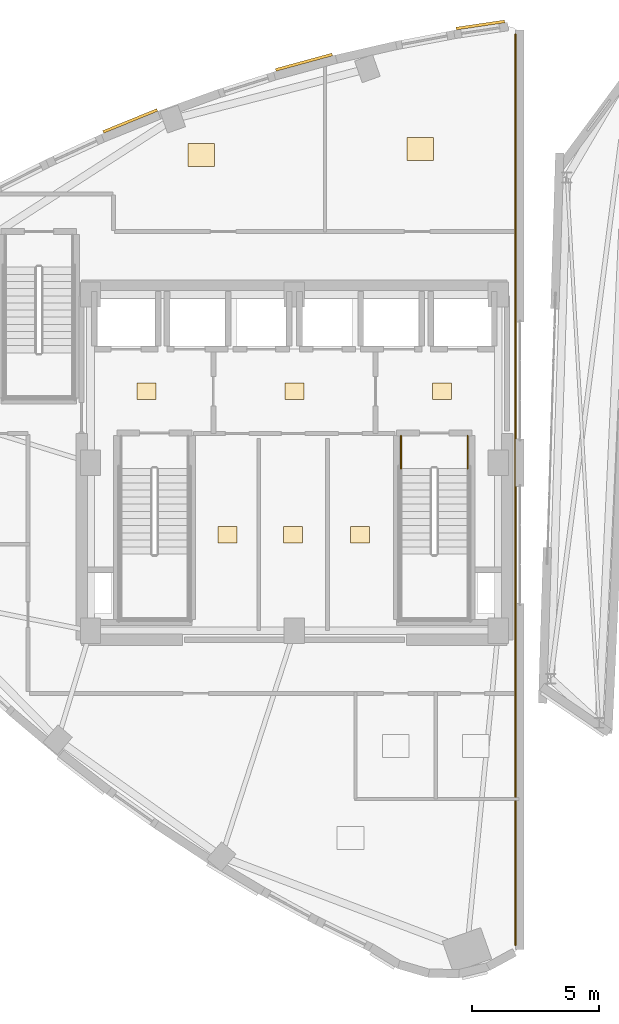
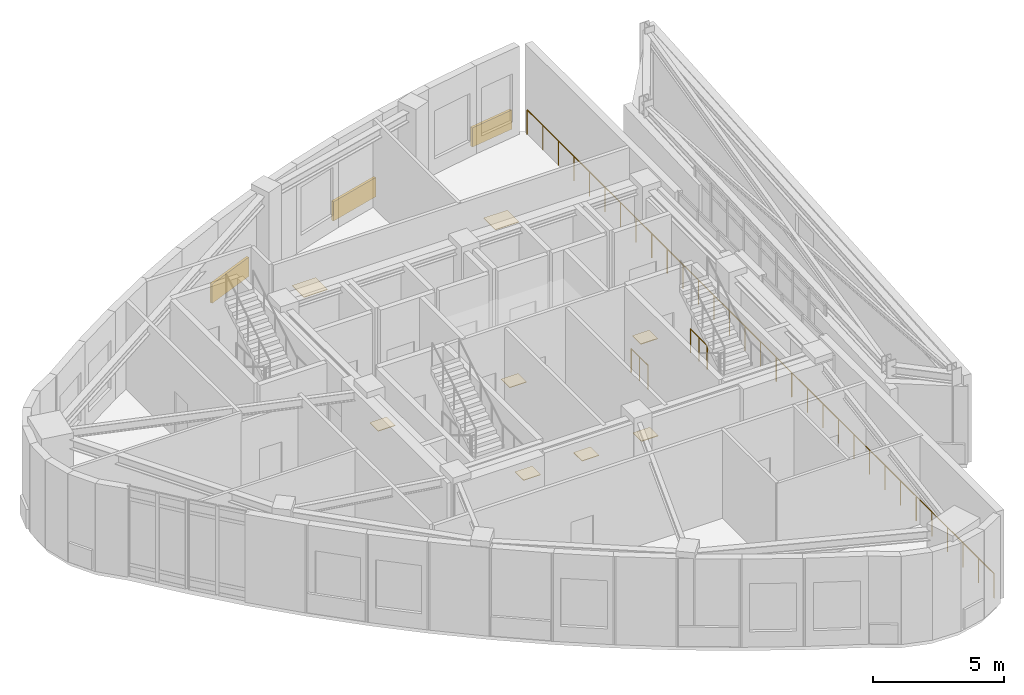
# One storey, part 19 of 19: 11 coverings, 3 railings.
"""IFC4 building model written with IfcOpenShell, lengths in metres."""

import ifcopenshell
import ifcopenshell.guid

model = None  # the IFC model being written
_history = None  # IfcOwnerHistory: only IFC2X3 demands one
_inside = {}  # id of a spatial element -> (the spatial element, [elements in it])
_under = {}  # id of a project, library or spatial element -> (it, [spatial elements below it])
_declared = {}  # id of a project -> (the project, [libraries it declares])
_typed = {}  # id of a type object -> (the type object, [elements of that type])
_made_of = {}  # id of a material, layer set ... -> (it, [elements and type objects made of it])


def new_model(schema):
    """Start an empty IFC model of exactly this schema.

    Asked for "IFC4X3", IfcOpenShell would pick the latest addendum, in which some entities
    have other attributes; the version numbers below select the first issue.
    IFC2X3 requires an IfcOwnerHistory on every rooted entity: one is made here for all.
    """
    global model, _history
    if schema == "IFC4X3":
        model = ifcopenshell.file(schema_version=(4, 3, 0, 0))
    else:
        model = ifcopenshell.file(schema=schema)
    _inside.clear()
    _under.clear()
    _declared.clear()
    _typed.clear()
    _made_of.clear()
    _history = None
    if model.schema == "IFC2X3":
        org = make("IfcOrganization", Name="unknown")
        user = make(
            "IfcPersonAndOrganization",
            ThePerson=make("IfcPerson", FamilyName="unknown"),
            TheOrganization=org,
        )
        app = make(
            "IfcApplication",
            ApplicationDeveloper=org,
            Version="unknown",
            ApplicationFullName="unknown",
            ApplicationIdentifier="unknown",
        )
        _history = make(
            "IfcOwnerHistory",
            OwningUser=user,
            OwningApplication=app,
            ChangeAction="ADDED",
            CreationDate=0,
        )
    return model


def make(cls, **values):
    """One entity of the class cls with the attributes given. An attribute that is None is left unset."""
    return model.create_entity(
        cls, **{name: value for name, value in values.items() if value is not None}
    )


def rooted(cls, **values):
    """An entity with a GlobalId (a new one), such as an element, a storey or a relation."""
    return make(cls, GlobalId=ifcopenshell.guid.new(), OwnerHistory=_history, **values)


def si_unit(unit_type, name, prefix=None):
    """IfcSIUnit, for example si_unit("LENGTHUNIT", "METRE", prefix="MILLI")."""
    return make("IfcSIUnit", UnitType=unit_type, Prefix=prefix, Name=name)


def assignment(units):
    """IfcUnitAssignment: the units of a project."""
    return None if units is None else make("IfcUnitAssignment", Units=units)


def point(xyz):
    """IfcCartesianPoint."""
    return None if xyz is None else make("IfcCartesianPoint", Coordinates=xyz)


def direction(xyz):
    """IfcDirection."""
    return None if xyz is None else make("IfcDirection", DirectionRatios=xyz)


def frame(location, z_axis=None, x_axis=None):
    """IfcAxis2Placement3D, a coordinate frame: its origin and axes. An axis left out is left unset."""
    return make(
        "IfcAxis2Placement3D",
        Location=point(location),
        Axis=direction(z_axis),
        RefDirection=direction(x_axis),
    )


def frame_2d(location, x_axis=None):
    """IfcAxis2Placement2D, a coordinate frame in the plane: its origin and x axis."""
    return make(
        "IfcAxis2Placement2D", Location=point(location), RefDirection=direction(x_axis)
    )


def origin():
    """The frame at (0, 0, 0) with its axes left unset."""
    return frame((0.0, 0.0, 0.0))


def origin_2d():
    """The frame at (0, 0) in the plane with its x axis left unset."""
    return frame_2d((0.0, 0.0))


def place(relative_to, where):
    """IfcLocalPlacement: puts the frame where relative to a parent placement (None: the world)."""
    return make(
        "IfcLocalPlacement", PlacementRelTo=relative_to, RelativePlacement=where
    )


def context(
    kind, dimensions, precision=None, world=None, true_north=None, identifier=None
):
    """IfcGeometricRepresentationContext, for example the 3D "Model" context."""
    return make(
        "IfcGeometricRepresentationContext",
        ContextIdentifier=identifier,
        ContextType=kind,
        CoordinateSpaceDimension=dimensions,
        Precision=precision,
        WorldCoordinateSystem=world,
        TrueNorth=true_north,
    )


def subcontext(parent, identifier, kind, view, scale=None):
    """IfcGeometricRepresentationSubContext, for example "Body" below "Model"."""
    return make(
        "IfcGeometricRepresentationSubContext",
        ContextIdentifier=identifier,
        ContextType=kind,
        ParentContext=parent,
        TargetScale=scale,
        TargetView=view,
    )


def project(units=None, contexts=None):
    """IfcProject with its units and contexts."""
    return rooted(
        "IfcProject",
        Name="project",
        RepresentationContexts=contexts,
        UnitsInContext=assignment(units),
    )


def spatial(cls, under=None, at=None, **own):
    """A site, building, storey or space (cls), placed at a placement, below another one or the project."""
    s = rooted(cls, ObjectPlacement=at, **own)
    if under is not None:
        _under.setdefault(under.id(), (under, []))[1].append(s)
    return s


def profile(cls, at=None, kind="AREA", **sizes):
    """A parametric profile (cls). Its sizes go by their IFC names, for example OverallWidth=200.0."""
    return make(cls, ProfileType=kind, Position=at, **sizes)


def rectangle(**sizes):
    """IfcRectangleProfileDef."""
    return profile("IfcRectangleProfileDef", **sizes)


def circle(**sizes):
    """IfcCircleProfileDef."""
    return profile("IfcCircleProfileDef", **sizes)


def extrude(swept, where, along, depth):
    """IfcExtrudedAreaSolid: the profile swept, set in the frame where, extruded along a direction by depth."""
    return make(
        "IfcExtrudedAreaSolid",
        SweptArea=swept,
        Position=where,
        ExtrudedDirection=direction(along),
        Depth=depth,
    )


def shape(context_of_items, identifier, shape_type, items):
    """IfcShapeRepresentation: the items that make up one representation, for example the "Body"."""
    return make(
        "IfcShapeRepresentation",
        ContextOfItems=context_of_items,
        RepresentationIdentifier=identifier,
        RepresentationType=shape_type,
        Items=items,
    )


def material(Name=None, Category=None):
    """IfcMaterial."""
    return make("IfcMaterial", Name=Name, Category=Category)


def layer(
    of_material, thickness, ventilated=None, Name=None, Category=None, Priority=None
):
    """IfcMaterialLayer: one layer of a wall or slab, of a material (None: an air gap)."""
    return make(
        "IfcMaterialLayer",
        Material=of_material,
        LayerThickness=thickness,
        IsVentilated=ventilated,
        Name=Name,
        Category=Category,
        Priority=Priority,
    )


def layer_set(layers, Name=None):
    """IfcMaterialLayerSet."""
    return make("IfcMaterialLayerSet", MaterialLayers=layers, LayerSetName=Name)


def made_of(thing, what):
    """Note that an element or type object is made of a material, layer set ...; save() writes the relation."""
    if what is not None:
        _made_of.setdefault(what.id(), (what, []))[1].append(thing)
    return thing


def type_object(cls, material=None, **own):
    """A type object (cls), such as IfcWallType, which elements share."""
    return made_of(rooted(cls, **own), material)


def element(
    cls,
    number,
    at=None,
    inside=None,
    cuts=None,
    type_object=None,
    material=None,
    context=None,
    identifier="Body",
    shape_type=None,
    held_by="IfcProductDefinitionShape",
    body=None,
    shapes=None,
    **own,
):
    """One element of the class cls, such as IfcWall. Its Tag is "e" and its number.

    at: its placement. inside: the storey or other place that contains it. cuts: it is an
    opening in that element (IfcRelVoidsElement). A single representation is given by context,
    identifier, shape_type and body (its items); several are given by shapes. held_by: the class
    of the entity that holds the representations. save() writes the other relations.
    """
    e = rooted(cls, Tag="e%d" % number, ObjectPlacement=at, **own)
    if body is not None:
        shapes = [shape(context, identifier, shape_type, body)]
    if shapes is not None:
        e.Representation = make(held_by, Representations=shapes)
    if inside is not None:
        _inside.setdefault(inside.id(), (inside, []))[1].append(e)
    if cuts is not None:
        rooted(
            "IfcRelVoidsElement", RelatingBuildingElement=cuts, RelatedOpeningElement=e
        )
    if type_object is not None:
        _typed.setdefault(type_object.id(), (type_object, []))[1].append(e)
    return made_of(e, material)


def aggregate(whole, parts):
    """IfcRelAggregates: a whole, such as a stair, and the parts it consists of."""
    return rooted("IfcRelAggregates", RelatingObject=whole, RelatedObjects=parts)


def save(model, path):
    """Write the relations noted so far, then the file.

    IfcRelAggregates (storeys below a building ...), IfcRelContainedInSpatialStructure (elements
    in a storey), IfcRelDefinesByType, IfcRelAssociatesMaterial and IfcRelDeclares: one each for
    every whole, place, type object, material and project.
    """
    for whole, parts in _under.values():
        aggregate(whole, parts)
    for where, things in _inside.values():
        rooted(
            "IfcRelContainedInSpatialStructure",
            RelatedElements=things,
            RelatingStructure=where,
        )
    for kind, things in _typed.values():
        rooted("IfcRelDefinesByType", RelatedObjects=things, RelatingType=kind)
    for what, things in _made_of.values():
        rooted("IfcRelAssociatesMaterial", RelatedObjects=things, RelatingMaterial=what)
    for by, libraries in _declared.values():
        rooted("IfcRelDeclares", RelatingContext=by, RelatedDefinitions=libraries)
    model.write(path)


model = new_model("IFC4")

# Units and contexts
model_context = context("Model", 3, precision=1e-05, world=origin(), true_north=direction((0.0, 1.0)))
body_context = subcontext(model_context, "Body", "Model", "MODEL_VIEW")
ifc_project = project(units=[si_unit("LENGTHUNIT", "METRE"), si_unit("AREAUNIT", "SQUARE_METRE"), si_unit("VOLUMEUNIT", "CUBIC_METRE"), si_unit("PLANEANGLEUNIT", "RADIAN"), si_unit("MASSUNIT", "GRAM", prefix="KILO")], contexts=[model_context])

# Site, building, storey
site_placement = place(None, origin())
site = spatial("IfcSite", under=ifc_project, at=site_placement, CompositionType="ELEMENT")
building_placement = place(site_placement, origin())
building = spatial("IfcBuilding", under=site, at=building_placement, Name="Ndelora Gate Hotel", CompositionType="ELEMENT")
storey_placement = place(building_placement, frame((0.0, 0.0, 299.199951171875)))
storey = spatial("IfcBuildingStorey", under=building, at=storey_placement, Name="L74", CompositionType="ELEMENT", Elevation=299.199951171875)

# Coverings
ifc_material_1 = material(Name="Terracotta Fired Clay Brick Slip Cladding", Category="masonry")
ifc_layer_1 = layer(ifc_material_1, 0.110107421875)
ifc_layer_set_1 = layer_set([ifc_layer_1], Name="Terracotta Fired Clay Brick Slip Cladding")
covering_type_1 = type_object("IfcCoveringType", Name="COV-CLAD-BRK", PredefinedType="CLADDING", material=ifc_layer_set_1)
covering_1_placement = place(storey_placement, frame((7.30078125, 17.177001953125, 0.10009765625), z_axis=(0.0, 0.0, 1.0), x_axis=(0.989170106698, 0.146773635283, 0.0)))
element("IfcCovering", 1, at=covering_1_placement, inside=storey, type_object=covering_type_1, Name="L74 Rounded-Corner Brick Cladding Band 52", PredefinedType="CLADDING", context=body_context, shape_type="SweptSolid", body=[
    extrude(rectangle(XDim=1.924072265625, YDim=0.110107421875, at=origin_2d()), origin(), (0.0, 0.0, 1.0), 0.89990234375),
])
covering_2_placement = place(storey_placement, frame((0.377197265625, 15.71826171875, 0.10009765625), z_axis=(0.0, 0.0, 1.0), x_axis=(0.964924914393, 0.262526016964, 0.0)))
element("IfcCovering", 2, at=covering_2_placement, inside=storey, type_object=covering_type_1, Name="L74 Rounded-Corner Brick Cladding Band 55", PredefinedType="CLADDING", context=body_context, shape_type="SweptSolid", body=[
    extrude(rectangle(XDim=2.301025390625, YDim=0.110107421875, at=origin_2d()), origin(), (0.0, 0.0, 1.0), 0.89990234375),
])
covering_3_placement = place(storey_placement, frame((-6.442138671875, 13.411865234375, 0.10009765625), z_axis=(0.0, 0.0, 1.0), x_axis=(0.926068294858, 0.377355950342, 0.0)))
element("IfcCovering", 3, at=covering_3_placement, inside=storey, type_object=covering_type_1, Name="L74 Rounded-Corner Brick Cladding Band 58", PredefinedType="CLADDING", context=body_context, shape_type="SweptSolid", body=[
    extrude(rectangle(XDim=2.2890625, YDim=0.110107421875, at=origin_2d()), origin(), (0.0, 0.0, 1.0), 0.89990234375),
])
ifc_material_2 = material(Name="Engineered Highland Oak Parquet", Category="wood")
ifc_layer_2 = layer(ifc_material_2, 0.030029296875)
ifc_layer_set_2 = layer_set([ifc_layer_2], Name="Engineered Highland Oak Parquet")
covering_type_2 = type_object("IfcCoveringType", Name="COV-FLR-PARQ", PredefinedType="FLOORING", material=ifc_layer_set_2)
for number, where, z_axis, x_axis, name in (
    (4, (-3.656005859375, 12.08056640625, 0.0), (0.0, 0.0, 1.0), (1.0, 0.0, 0.0), "L74 Summit Crown Banquet Dining Room Oak Parquet Flooring"),
    (5, (4.944091796875, 12.314697265625, 0.0), (0.0, 0.0, 1.0), (1.0, 0.0, 0.0), "L74 Executive Sky Boardroom Oak Parquet Flooring"),
):
    element("IfcCovering", number, at=place(storey_placement, frame(where, z_axis=z_axis, x_axis=x_axis)), inside=storey, type_object=covering_type_2, Name=name, PredefinedType="FLOORING", context=body_context, shape_type="SweptSolid", body=[
        extrude(rectangle(XDim=1.050048828125, YDim=0.89990234375, at=origin_2d()), origin(), (0.0, 0.0, 1.0), 0.030029296875),
    ])
ifc_material_3 = material(Name="Non-Slip Porcelain Wet-Room Tile", Category="ceramic")
ifc_layer_3 = layer(ifc_material_3, 0.02490234375)
ifc_layer_set_3 = layer_set([ifc_layer_3], Name="Non-Slip Porcelain Wet-Room Tile")
covering_type_3 = type_object("IfcCoveringType", Name="COV-FLR-TILE", PredefinedType="FLOORING", material=ifc_layer_set_3)
for number, where, z_axis, x_axis, name in (
    (6, (-5.800048828125, 2.800048828125, 0.0), (0.0, 0.0, 1.0), (1.0, 0.0, 0.0), "L74 Firefighting Lift Lobby West Porcelain Tile Flooring"),
    (7, (5.800048828125, 2.800048828125, 0.0), (0.0, 0.0, 1.0), (1.0, 0.0, 0.0), "L74 Firefighting Lift Lobby East Porcelain Tile Flooring"),
    (8, (0.0, 2.800048828125, 0.0), (0.0, 0.0, 1.0), (1.0, 0.0, 0.0), "L74 Central Passenger Lift Lobby Porcelain Tile Flooring"),
    (9, (-2.625, -2.824951171875, 0.0), (0.0, 0.0, 1.0), (1.0, 0.0, 0.0), "L74 Core Cleaners Store Porcelain Tile Flooring"),
    (10, (-0.050048828125, -2.824951171875, 0.0), (0.0, 0.0, 1.0), (1.0, 0.0, 0.0), "L74 Core Telecoms Equipment Room Porcelain Tile Flooring"),
    (11, (2.574951171875, -2.824951171875, 0.0), (0.0, 0.0, 1.0), (1.0, 0.0, 0.0), "L74 Core Electrical Metering Room Porcelain Tile Flooring"),
):
    element("IfcCovering", number, at=place(storey_placement, frame(where, z_axis=z_axis, x_axis=x_axis)), inside=storey, type_object=covering_type_3, Name=name, PredefinedType="FLOORING", context=body_context, shape_type="SweptSolid", body=[
        extrude(rectangle(XDim=0.75, YDim=0.64990234375, at=origin_2d()), origin(), (0.0, 0.0, 1.0), 0.02490234375),
    ])

# Railings
ifc_material_4 = material(Name="Laminated Safety Glass and Bronze Top Rail", Category="glass")
ifc_layer_4 = layer(ifc_material_4, 0.070068359375)
ifc_layer_set_4 = layer_set([ifc_layer_4], Name="Laminated Safety Glass and Bronze Top Rail")
railing_type_1 = type_object("IfcRailingType", Name="RL-BAL-1150", PredefinedType="BALUSTRADE", material=ifc_layer_set_4)
railing_placement = place(storey_placement, frame((8.679931640625, -18.9306640625, 0.0)))
element("IfcRailing", 12, at=railing_placement, inside=storey, type_object=railing_type_1, Name="L74 Split-Crown Sky-Slot Safety Guard M", PredefinedType="BALUSTRADE", context=body_context, shape_type="SweptSolid", body=[
    extrude(circle(Radius=0.02392578125, at=origin_2d()), frame((0.0, 0.0, 1.1357421875), z_axis=(0.0, 1.0, 0.0), x_axis=(-1.0, 0.0, 0.0)), (0.0, 0.0, 1.0), 35.737060546875),
    extrude(circle(Radius=0.02099609375, at=origin_2d()), origin(), (0.0, 0.0, 1.0), 1.11181640625),
    extrude(circle(Radius=0.02099609375, at=origin_2d()), frame((0.0, 1.191162109375, 0.0)), (0.0, 0.0, 1.0), 1.11181640625),
    extrude(circle(Radius=0.02099609375, at=origin_2d()), frame((0.0, 2.382568359375, 0.0)), (0.0, 0.0, 1.0), 1.11181640625),
    extrude(circle(Radius=0.02099609375, at=origin_2d()), frame((0.0, 3.57373046875, 0.0)), (0.0, 0.0, 1.0), 1.11181640625),
    extrude(circle(Radius=0.02099609375, at=origin_2d()), frame((0.0, 4.764892578125, 0.0)), (0.0, 0.0, 1.0), 1.11181640625),
    extrude(circle(Radius=0.02099609375, at=origin_2d()), frame((0.0, 5.9560546875, 0.0)), (0.0, 0.0, 1.0), 1.11181640625),
    extrude(circle(Radius=0.02099609375, at=origin_2d()), frame((0.0, 7.1474609375, 0.0)), (0.0, 0.0, 1.0), 1.11181640625),
    extrude(circle(Radius=0.02099609375, at=origin_2d()), frame((0.0, 8.338623046875, 0.0)), (0.0, 0.0, 1.0), 1.11181640625),
    extrude(circle(Radius=0.02099609375, at=origin_2d()), frame((0.0, 9.52978515625, 0.0)), (0.0, 0.0, 1.0), 1.11181640625),
    extrude(circle(Radius=0.02099609375, at=origin_2d()), frame((0.0, 10.72119140625, 0.0)), (0.0, 0.0, 1.0), 1.11181640625),
    extrude(circle(Radius=0.02099609375, at=origin_2d()), frame((0.0, 11.912353515625, 0.0)), (0.0, 0.0, 1.0), 1.11181640625),
    extrude(circle(Radius=0.02099609375, at=origin_2d()), frame((0.0, 13.103515625, 0.0)), (0.0, 0.0, 1.0), 1.11181640625),
    extrude(circle(Radius=0.02099609375, at=origin_2d()), frame((0.0, 14.294921875, 0.0)), (0.0, 0.0, 1.0), 1.11181640625),
    extrude(circle(Radius=0.02099609375, at=origin_2d()), frame((0.0, 15.486083984375, 0.0)), (0.0, 0.0, 1.0), 1.11181640625),
    extrude(circle(Radius=0.02099609375, at=origin_2d()), frame((0.0, 16.67724609375, 0.0)), (0.0, 0.0, 1.0), 1.11181640625),
    extrude(circle(Radius=0.02099609375, at=origin_2d()), frame((0.0, 17.86865234375, 0.0)), (0.0, 0.0, 1.0), 1.11181640625),
    extrude(circle(Radius=0.02099609375, at=origin_2d()), frame((0.0, 19.059814453125, 0.0)), (0.0, 0.0, 1.0), 1.11181640625),
    extrude(circle(Radius=0.02099609375, at=origin_2d()), frame((0.0, 20.2509765625, 0.0)), (0.0, 0.0, 1.0), 1.11181640625),
    extrude(circle(Radius=0.02099609375, at=origin_2d()), frame((0.0, 21.442138671875, 0.0)), (0.0, 0.0, 1.0), 1.11181640625),
    extrude(circle(Radius=0.02099609375, at=origin_2d()), frame((0.0, 22.633544921875, 0.0)), (0.0, 0.0, 1.0), 1.11181640625),
    extrude(circle(Radius=0.02099609375, at=origin_2d()), frame((0.0, 23.82470703125, 0.0)), (0.0, 0.0, 1.0), 1.11181640625),
    extrude(circle(Radius=0.02099609375, at=origin_2d()), frame((0.0, 25.015869140625, 0.0)), (0.0, 0.0, 1.0), 1.11181640625),
    extrude(circle(Radius=0.02099609375, at=origin_2d()), frame((0.0, 26.207275390625, 0.0)), (0.0, 0.0, 1.0), 1.11181640625),
    extrude(circle(Radius=0.02099609375, at=origin_2d()), frame((0.0, 27.3984375, 0.0)), (0.0, 0.0, 1.0), 1.11181640625),
    extrude(circle(Radius=0.02099609375, at=origin_2d()), frame((0.0, 28.589599609375, 0.0)), (0.0, 0.0, 1.0), 1.11181640625),
    extrude(circle(Radius=0.02099609375, at=origin_2d()), frame((0.0, 29.78076171875, 0.0)), (0.0, 0.0, 1.0), 1.11181640625),
    extrude(circle(Radius=0.02099609375, at=origin_2d()), frame((0.0, 30.97216796875, 0.0)), (0.0, 0.0, 1.0), 1.11181640625),
    extrude(circle(Radius=0.02099609375, at=origin_2d()), frame((0.0, 32.163330078125, 0.0)), (0.0, 0.0, 1.0), 1.11181640625),
    extrude(circle(Radius=0.02099609375, at=origin_2d()), frame((0.0, 33.3544921875, 0.0)), (0.0, 0.0, 1.0), 1.11181640625),
    extrude(circle(Radius=0.02099609375, at=origin_2d()), frame((0.0, 34.5458984375, 0.0)), (0.0, 0.0, 1.0), 1.11181640625),
    extrude(circle(Radius=0.02099609375, at=origin_2d()), frame((0.0, 35.737060546875, 0.0)), (0.0, 0.0, 1.0), 1.11181640625),
])
ifc_material_5 = material(Name="Painted Galvanized Steel Balustrade", Category="steel")
ifc_layer_5 = layer(ifc_material_5, 0.06005859375)
ifc_layer_set_5 = layer_set([ifc_layer_5], Name="Painted Galvanized Steel Balustrade")
railing_type_2 = type_object("IfcRailingType", Name="RL-STAIR-GD", PredefinedType="GUARDRAIL", material=ifc_layer_set_5)
for number, where, name in (
    (13, (4.179931640625, 1.050048828125, 0.0), "L74 ST5 stair guard 8"),
    (14, (6.800048828125, 1.050048828125, 0.0), "L74 ST5 stair guard 9"),
):
    element("IfcRailing", number, at=place(storey_placement, frame(where)), inside=storey, type_object=railing_type_2, Name=name, PredefinedType="GUARDRAIL", context=body_context, shape_type="SweptSolid", body=[
        extrude(circle(Radius=0.02392578125, at=origin_2d()), frame((0.0, 0.0, 1.10595703125), z_axis=(0.0, -1.0, 0.0), x_axis=(1.0, 0.0, 0.0)), (0.0, 0.0, 1.0), 1.280029296875),
        extrude(circle(Radius=0.02099609375, at=origin_2d()), origin(), (0.0, 0.0, 1.0), 1.081787109375),
        extrude(circle(Radius=0.02099609375, at=origin_2d()), frame((0.0, -0.64013671875, 0.0)), (0.0, 0.0, 1.0), 1.081787109375),
        extrude(circle(Radius=0.02099609375, at=origin_2d()), frame((0.0, -1.280029296875, 0.0)), (0.0, 0.0, 1.0), 1.081787109375),
    ])

save(model, "model.ifc")
